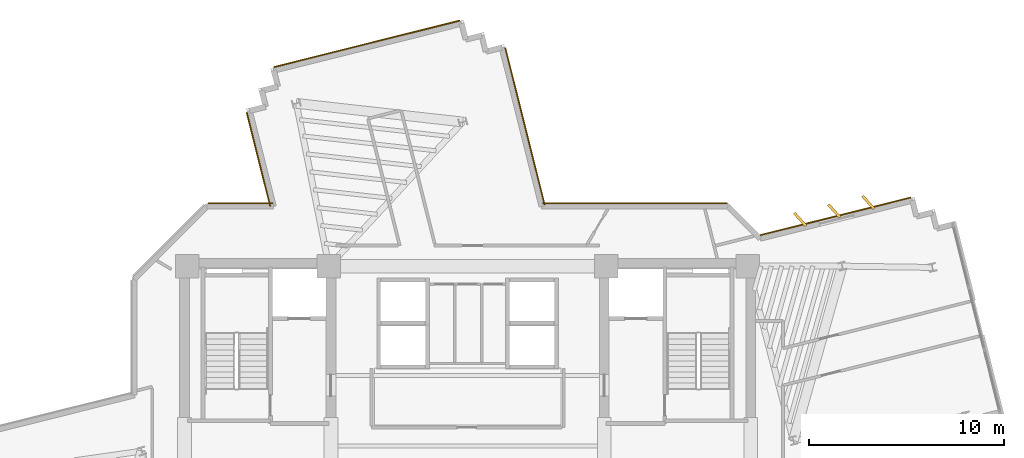
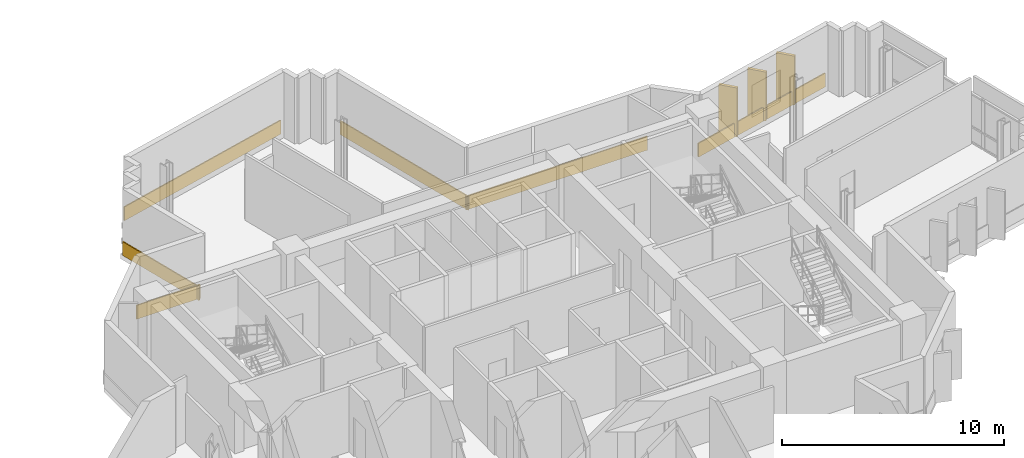
# One storey, part 13 of 13: 9 coverings.
"""IFC4 building model written with IfcOpenShell, lengths in metres."""

from ifc_helpers import new_model, si_unit, direction, frame, origin, origin_2d, place, context, subcontext, project, spatial, rectangle, extrude, source, transform, mapped, material, layer, layer_set, type_object, element, save


model = new_model("IFC4")

# Units and contexts
model_context = context("Model", 3, precision=1e-05, world=origin(), true_north=direction((0.0, 1.0)))
body_context = subcontext(model_context, "Body", "Model", "MODEL_VIEW")
ifc_project = project(units=[si_unit("LENGTHUNIT", "METRE"), si_unit("AREAUNIT", "SQUARE_METRE"), si_unit("VOLUMEUNIT", "CUBIC_METRE"), si_unit("PLANEANGLEUNIT", "RADIAN"), si_unit("MASSUNIT", "GRAM", prefix="KILO")], contexts=[model_context])

# Site, building, storey
site_placement = place(None, origin())
site = spatial("IfcSite", under=ifc_project, at=site_placement, CompositionType="ELEMENT")
building_placement = place(site_placement, origin())
building = spatial("IfcBuilding", under=site, at=building_placement, Name="Zahravan Cultural Tower", CompositionType="ELEMENT")
storey_placement = place(building_placement, frame((0.0, 0.0, 182.39990234375)))
storey = spatial("IfcBuildingStorey", under=building, at=storey_placement, Name="L42", CompositionType="ELEMENT", Elevation=182.39990234375)

# Coverings
ifc_material = material(Name="Terracotta ceramic cladding", Category="masonry")
ifc_layer = layer(ifc_material, 0.06005859375)
ifc_layer_set = layer_set([ifc_layer], Name="Terracotta ceramic cladding")
covering_type = type_object("IfcCoveringType", Name="COV-CLAD-TC60", PredefinedType="CLADDING", material=ifc_layer_set)
shared_shape_1 = source(origin(), body_context, "Body", "SweptSolid", [
    extrude(rectangle(XDim=9.820068359375, YDim=0.06005859375, at=origin_2d()), origin(), (0.0, 0.0, 1.0), 0.760009765625),
])
covering_1_placement = place(storey_placement, frame((30.843505859375, 47.589111328125, 0.02001953125), z_axis=(0.0, 0.0, 1.0), x_axis=(0.970041854282, 0.242937854074, 0.0)))
element("IfcCovering", 1, at=covering_1_placement, inside=storey, type_object=covering_type, Name="L42 Terracotta Spandrel Cladding 45", PredefinedType="CLADDING", context=body_context, shape_type="MappedRepresentation", body=[
    mapped(shared_shape_1, transform((0.0, 0.0, 0.0), x_axis=(1.0, 0.0, 0.0), y_axis=(0.0, 1.0, 0.0), z_axis=(0.0, 0.0, 1.0), scale=1.0)),
])
shared_shape_2 = source(origin(), body_context, "Body", "SweptSolid", [
    extrude(rectangle(XDim=0.8798828125, YDim=0.139892578125, at=origin_2d()), origin(), (0.0, 0.0, 1.0), 2.699951171875),
])
for number, where, z_axis, x_axis, name in (
    (2, (53.03076171875, 38.5947265625, 0.05029296875), (0.0, 0.0, 1.0), (-0.669908458766, 0.742443706198, 0.0), "L42 Herringbone Terracotta Fin 01"),
    (3, (54.776611328125, 39.031982421875, 0.05029296875), (0.0, 0.0, 1.0), (-0.669908458766, 0.742443706198, 0.0), "L42 Herringbone Terracotta Fin 02"),
    (4, (56.522705078125, 39.46923828125, 0.05029296875), (0.0, 0.0, 1.0), (-0.669908458766, 0.742443706198, 0.0), "L42 Herringbone Terracotta Fin 03"),
):
    element("IfcCovering", number, at=place(storey_placement, frame(where, z_axis=z_axis, x_axis=x_axis)), inside=storey, type_object=covering_type, Name=name, PredefinedType="CLADDING", context=body_context, shape_type="MappedRepresentation", body=[
        mapped(shared_shape_2, transform((0.0, 0.0, 0.0), x_axis=(1.0, 0.0, 0.0), y_axis=(0.0, 1.0, 0.0), z_axis=(0.0, 0.0, 1.0), scale=1.0)),
    ])
shared_shape_3 = source(origin(), body_context, "Body", "SweptSolid", [
    extrude(rectangle(XDim=7.945556640625, YDim=0.06005859375, at=origin_2d()), origin(), (0.0, 0.0, 1.0), 0.760009765625),
])
covering_2_placement = place(storey_placement, frame((54.845947265625, 38.755615234375, 0.02001953125), z_axis=(0.0, 0.0, 1.0), x_axis=(0.970041854282, 0.242937854074, 0.0)))
element("IfcCovering", 5, at=covering_2_placement, inside=storey, type_object=covering_type, Name="L42 Terracotta Spandrel Cladding 01", PredefinedType="CLADDING", context=body_context, shape_type="MappedRepresentation", body=[
    mapped(shared_shape_3, transform((0.0, 0.0, 0.0), x_axis=(1.0, 0.0, 0.0), y_axis=(0.0, 1.0, 0.0), z_axis=(0.0, 0.0, 1.0), scale=1.0)),
])
shared_shape_4 = source(origin(), body_context, "Body", "SweptSolid", [
    extrude(rectangle(XDim=3.305908203125, YDim=0.06005859375, at=origin_2d()), origin(), (0.0, 0.0, 1.0), 0.760009765625),
])
covering_3_placement = place(storey_placement, frame((24.361083984375, 39.425048828125, 0.02001953125), z_axis=(0.0, 0.0, 1.0), x_axis=(1.0, 0.0, 0.0)))
element("IfcCovering", 6, at=covering_3_placement, inside=storey, type_object=covering_type, Name="L42 Terracotta Spandrel Cladding 39", PredefinedType="CLADDING", context=body_context, shape_type="MappedRepresentation", body=[
    mapped(shared_shape_4, transform((0.0, 0.0, 0.0), x_axis=(1.0, 0.0, 0.0), y_axis=(0.0, 1.0, 0.0), z_axis=(0.0, 0.0, 1.0), scale=1.0)),
])
shared_shape_5 = source(origin(), body_context, "Body", "SweptSolid", [
    extrude(rectangle(XDim=4.953369140625, YDim=0.06005859375, at=origin_2d()), origin(), (0.0, 0.0, 1.0), 0.760009765625),
])
covering_4_placement = place(storey_placement, frame((25.2900390625, 41.6708984375, 0.02001953125), z_axis=(0.0, 0.0, 1.0), x_axis=(-0.242937854074, 0.970041854282, 0.0)))
element("IfcCovering", 7, at=covering_4_placement, inside=storey, type_object=covering_type, Name="L42 Terracotta Spandrel Cladding 40", PredefinedType="CLADDING", context=body_context, shape_type="MappedRepresentation", body=[
    mapped(shared_shape_5, transform((0.0, 0.0, 0.0), x_axis=(1.0, 0.0, 0.0), y_axis=(0.0, 1.0, 0.0), z_axis=(0.0, 0.0, 1.0), scale=1.0)),
])
shared_shape_6 = source(origin(), body_context, "Body", "SweptSolid", [
    extrude(rectangle(XDim=8.289306640625, YDim=0.06005859375, at=origin_2d()), origin(), (0.0, 0.0, 1.0), 0.760009765625),
])
covering_5_placement = place(storey_placement, frame((38.936279296875, 43.369140625, 0.02001953125), z_axis=(0.0, 0.0, 1.0), x_axis=(0.242920923613, -0.970046094199, 0.0)))
element("IfcCovering", 8, at=covering_5_placement, inside=storey, type_object=covering_type, Name="L42 Terracotta Spandrel Cladding 50", PredefinedType="CLADDING", context=body_context, shape_type="MappedRepresentation", body=[
    mapped(shared_shape_6, transform((0.0, 0.0, 0.0), x_axis=(1.0, 0.0, 0.0), y_axis=(0.0, 1.0, 0.0), z_axis=(0.0, 0.0, 1.0), scale=1.0)),
])
shared_shape_7 = source(origin(), body_context, "Body", "SweptSolid", [
    extrude(rectangle(XDim=9.44677734375, YDim=0.06005859375, at=origin_2d()), origin(), (0.0, 0.0, 1.0), 0.760009765625),
])
covering_6_placement = place(storey_placement, frame((44.568603515625, 39.425048828125, 0.02001953125), z_axis=(0.0, 0.0, 1.0), x_axis=(1.0, 0.0, 0.0)))
element("IfcCovering", 9, at=covering_6_placement, inside=storey, type_object=covering_type, Name="L42 Terracotta Spandrel Cladding 51", PredefinedType="CLADDING", context=body_context, shape_type="MappedRepresentation", body=[
    mapped(shared_shape_7, transform((0.0, 0.0, 0.0), x_axis=(1.0, 0.0, 0.0), y_axis=(0.0, 1.0, 0.0), z_axis=(0.0, 0.0, 1.0), scale=1.0)),
])

save(model, "model.ifc")
